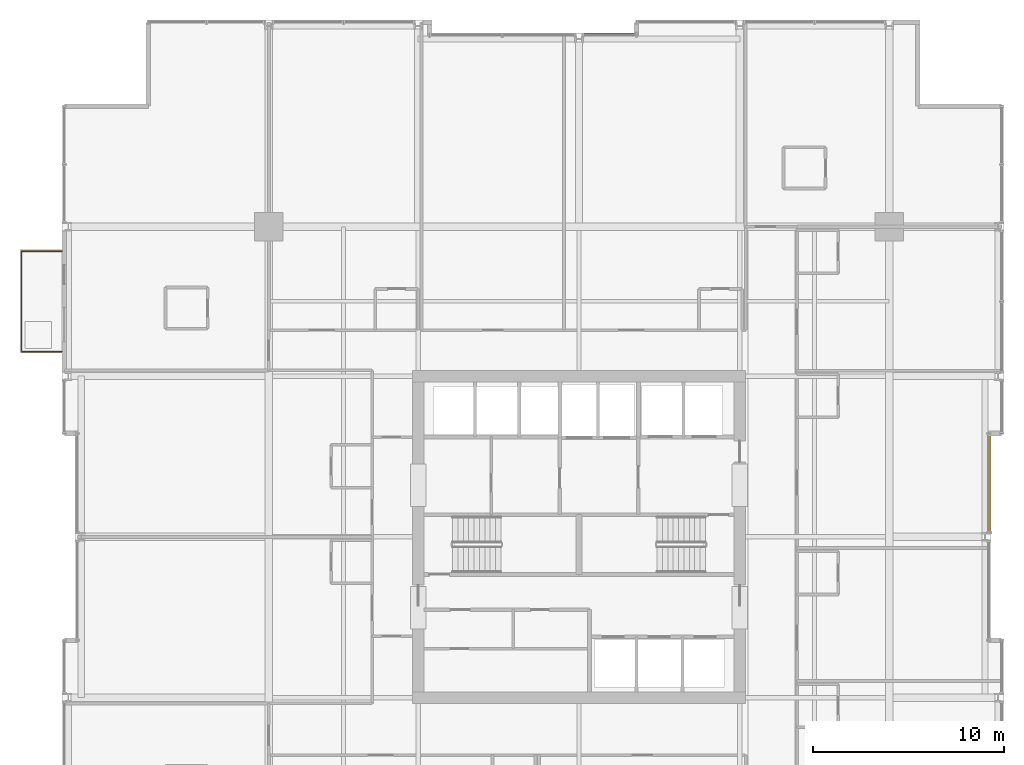
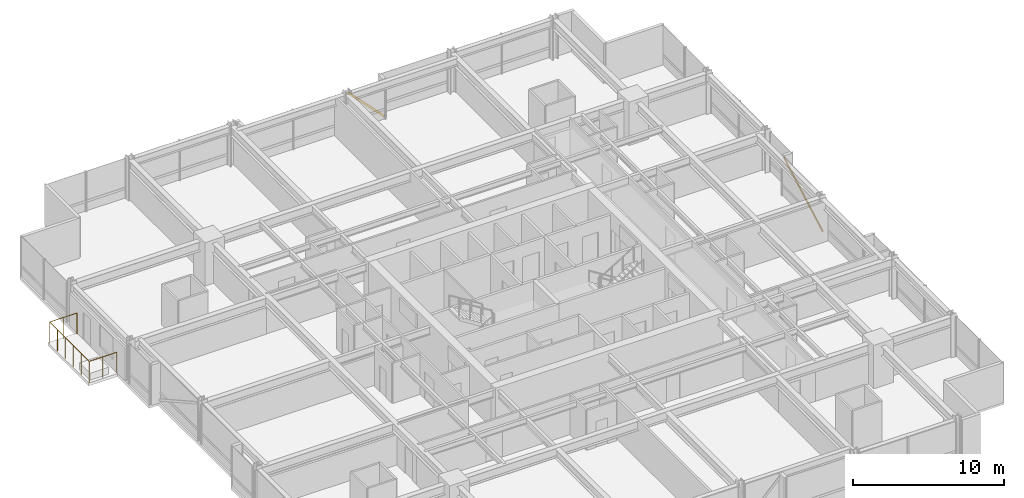
# One storey, part 34 of 34: 2 shading devices, 1 railing.
"""IFC4 building model written with IfcOpenShell, lengths in metres."""

from ifc_helpers import new_model, si_unit, direction, frame, origin, origin_2d, place, context, subcontext, project, spatial, hollow_rectangle, circle, extrude, material, material_profile, profile_set, type_object, element, save


model = new_model("IFC4")

# Units and contexts
model_context = context("Model", 3, precision=1e-05, world=origin(), true_north=direction((0.0, 1.0)))
body_context = subcontext(model_context, "Body", "Model", "MODEL_VIEW")
ifc_project = project(units=[si_unit("LENGTHUNIT", "METRE"), si_unit("AREAUNIT", "SQUARE_METRE"), si_unit("VOLUMEUNIT", "CUBIC_METRE"), si_unit("PLANEANGLEUNIT", "RADIAN"), si_unit("MASSUNIT", "GRAM", prefix="KILO")], contexts=[model_context])

# Site, building, storey
site_placement = place(None, origin())
site = spatial("IfcSite", under=ifc_project, at=site_placement, CompositionType="ELEMENT")
building_placement = place(site_placement, origin())
building = spatial("IfcBuilding", under=site, at=building_placement, Name="Drelvath Grand Hotel", CompositionType="ELEMENT")
storey_placement = place(building_placement, frame((0.0, 0.0, 109.300048828125)))
storey = spatial("IfcBuildingStorey", under=building, at=storey_placement, Name="L27", CompositionType="ELEMENT", Elevation=109.300048828125)

# Shading devices
ifc_material_1 = material(Name="Champagne Bronze Anodised Aluminium", Category="aluminium")
ifc_material_profile = material_profile(ifc_material_1, hollow_rectangle(XDim=0.06494140625, YDim=0.159912109375, WallThickness=0.00390625, at=origin_2d()), Name="HSS160X65X4")
ifc_profile_set = profile_set([ifc_material_profile], Name="Champagne Bronze Anodised Aluminium")
shading_device_type = type_object("IfcShadingDeviceType", Name="Diagonal Solar Fin Champagne Anodised HSS160X65X4", PredefinedType="USERDEFINED", material=ifc_profile_set)
shading_device_1_placement = place(storey_placement, frame((21.47998046875, 27.219482421875, 0.179931640625), z_axis=(0.0, 0.8740056863, 0.4859156926), x_axis=(-1.0, 0.0, 0.0)))
element("IfcShadingDevice", 1, at=shading_device_1_placement, inside=storey, type_object=shading_device_type, Name="L27 Diagonal Anodised Fin CW03-L27-EM2", ObjectType="FIN", PredefinedType="USERDEFINED", context=body_context, shape_type="SweptSolid", body=[
    extrude(hollow_rectangle(XDim=0.06494140625, YDim=0.159912109375, WallThickness=0.00390625, at=origin_2d()), origin(), (0.0, 0.0, 1.0), 5.92724609375),
])
shading_device_2_placement = place(storey_placement, frame((3.0, 53.280029296875, 0.179931640625), z_axis=(-0.694556420652, 0.0, 0.719438238163), x_axis=(0.0, -1.0, 0.0)))
element("IfcShadingDevice", 2, at=shading_device_2_placement, inside=storey, type_object=shading_device_type, Name="L27 Diagonal Anodised Fin CW03-L27-NM2", ObjectType="FIN", PredefinedType="USERDEFINED", context=body_context, shape_type="SweptSolid", body=[
    extrude(hollow_rectangle(XDim=0.06494140625, YDim=0.159912109375, WallThickness=0.00390625, at=origin_2d()), origin(), (0.0, 0.0, 1.0), 4.00341796875),
])

# Railing
ifc_material_2 = material(Name="Anodised Aluminium and Laminated Glass Balustrade", Category="aluminium")
railing_type = type_object("IfcRailingType", Name="Raised Planter Edge Balustrade 1700", PredefinedType="BALUSTRADE", material=ifc_material_2)
railing_placement = place(storey_placement, frame((-27.02001953125, 36.679931640625, 0.0)))
element("IfcRailing", 3, at=railing_placement, inside=storey, type_object=railing_type, Name="L27 Tree Balcony Perimeter Balustrade 1", PredefinedType="BALUSTRADE", context=body_context, shape_type="SweptSolid", body=[
    extrude(circle(Radius=0.02392578125, at=origin_2d()), frame((0.0, 0.0, 1.67578125), z_axis=(-1.0, 0.0, 0.0), x_axis=(0.0, -1.0, 0.0)), (0.0, 0.0, 1.0), 2.10009765625),
    extrude(circle(Radius=0.02392578125, at=origin_2d()), frame((-2.10009765625, 0.0, 1.67578125), z_axis=(0.0, 1.0, 0.0), x_axis=(-1.0, 0.0, 0.0)), (0.0, 0.0, 1.0), 5.239990234375),
    extrude(circle(Radius=0.02392578125, at=origin_2d()), frame((-2.10009765625, 5.239990234375, 1.67578125), z_axis=(1.0, 0.0, 0.0), x_axis=(0.0, 1.0, 0.0)), (0.0, 0.0, 1.0), 2.10009765625),
    extrude(circle(Radius=0.02099609375, at=origin_2d()), origin(), (0.0, 0.0, 1.0), 1.65185546875),
    extrude(circle(Radius=0.02099609375, at=origin_2d()), frame((-1.050048828125, 0.0, 0.0)), (0.0, 0.0, 1.0), 1.65185546875),
    extrude(circle(Radius=0.02099609375, at=origin_2d()), frame((-2.10009765625, 0.0, 0.0)), (0.0, 0.0, 1.0), 1.65185546875),
    extrude(circle(Radius=0.02099609375, at=origin_2d()), frame((-2.10009765625, 1.048095703125, 0.0)), (0.0, 0.0, 1.0), 1.65185546875),
    extrude(circle(Radius=0.02099609375, at=origin_2d()), frame((-2.10009765625, 2.095947265625, 0.0)), (0.0, 0.0, 1.0), 1.65185546875),
    extrude(circle(Radius=0.02099609375, at=origin_2d()), frame((-2.10009765625, 3.14404296875, 0.0)), (0.0, 0.0, 1.0), 1.65185546875),
    extrude(circle(Radius=0.02099609375, at=origin_2d()), frame((-2.10009765625, 4.19189453125, 0.0)), (0.0, 0.0, 1.0), 1.65185546875),
    extrude(circle(Radius=0.02099609375, at=origin_2d()), frame((-2.10009765625, 5.239990234375, 0.0)), (0.0, 0.0, 1.0), 1.65185546875),
    extrude(circle(Radius=0.02099609375, at=origin_2d()), frame((-1.050048828125, 5.239990234375, 0.0)), (0.0, 0.0, 1.0), 1.65185546875),
    extrude(circle(Radius=0.02099609375, at=origin_2d()), frame((0.0, 5.239990234375, 0.0)), (0.0, 0.0, 1.0), 1.65185546875),
])

save(model, "model.ifc")
